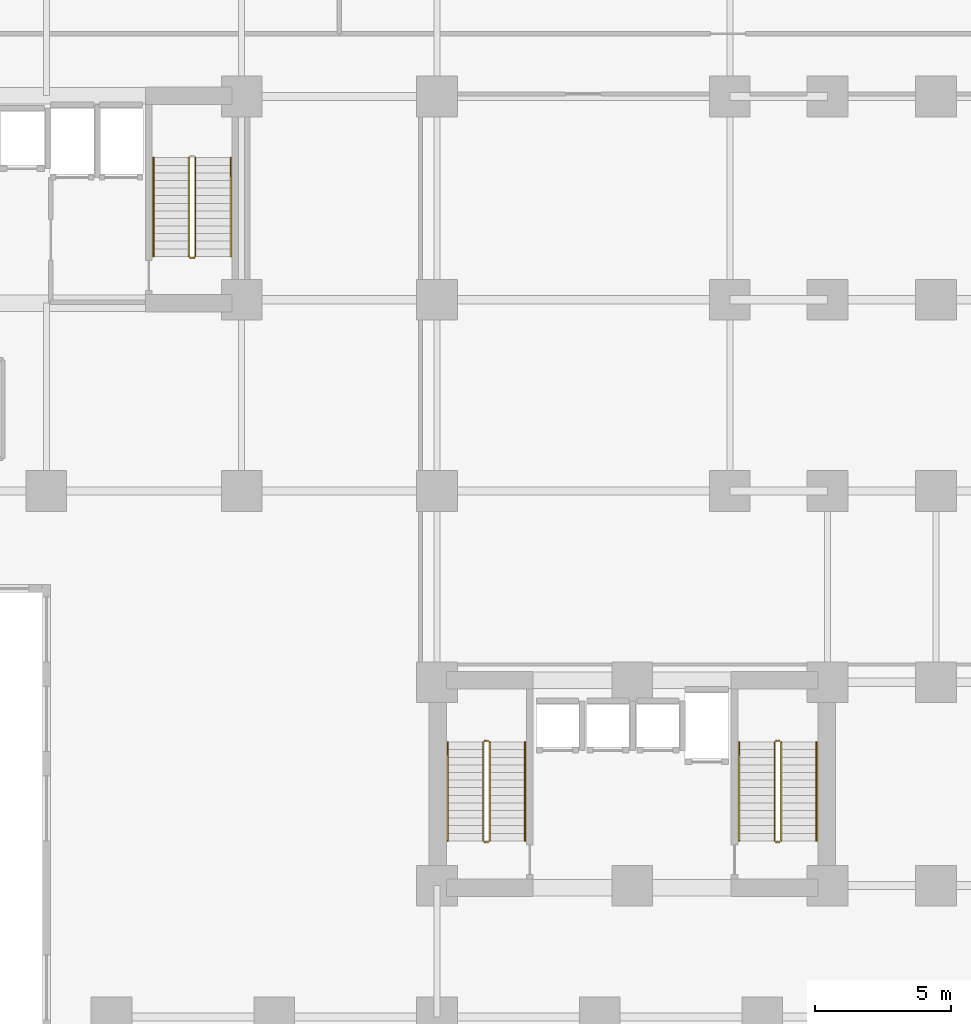
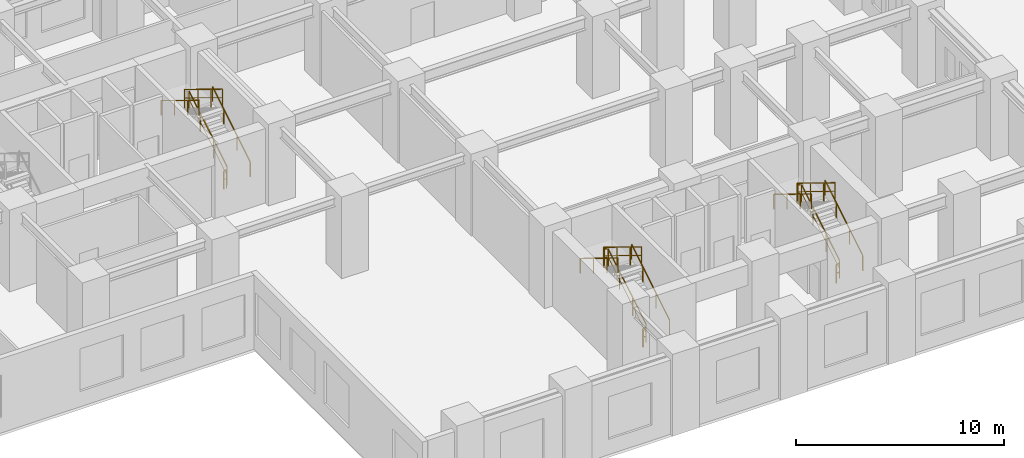
# One storey, part 8 of 10: 17 railings.
"""IFC4 building model written with IfcOpenShell, lengths in metres."""

from ifc_helpers import new_model, si_unit, direction, frame, origin, origin_2d, place, context, subcontext, project, spatial, rectangle, extrude, material, type_object, element, save


model = new_model("IFC4")

# Units and contexts
model_context = context("Model", 3, precision=1e-05, world=origin(), true_north=direction((0.0, 1.0)))
body_context = subcontext(model_context, "Body", "Model", "MODEL_VIEW")
ifc_project = project(units=[si_unit("LENGTHUNIT", "METRE"), si_unit("AREAUNIT", "SQUARE_METRE"), si_unit("VOLUMEUNIT", "CUBIC_METRE"), si_unit("PLANEANGLEUNIT", "RADIAN"), si_unit("MASSUNIT", "GRAM", prefix="KILO")], contexts=[model_context])

# Site, building, storey
site_placement = place(None, origin())
site = spatial("IfcSite", under=ifc_project, at=site_placement, CompositionType="ELEMENT")
building_placement = place(site_placement, origin())
building = spatial("IfcBuilding", under=site, at=building_placement, Name="Kaliganga Portal Commons", CompositionType="ELEMENT")
storey_placement = place(building_placement, frame((0.0, 0.0, 15.0)))
storey = spatial("IfcBuildingStorey", under=building, at=storey_placement, Name="L03", CompositionType="ELEMENT", Elevation=15.0)

# Railings
ifc_material_1 = material(Name="Galvanized Painted Steel Balustrade", Category="steel")
railing_type_1 = type_object("IfcRailingType", Name="RLG-STAIR-GRD", PredefinedType="GUARDRAIL", material=ifc_material_1)
railing_1_placement = place(storey_placement, frame((27.10009765625, 30.25, 0.17138671875)))
element("IfcRailing", 1, at=railing_1_placement, inside=storey, type_object=railing_type_1, Name="L03 ST-A2 stair guard 1", PredefinedType="GUARDRAIL", context=body_context, shape_type="SweptSolid", body=[
    extrude(rectangle(XDim=0.048095703125, YDim=0.048095703125, at=origin_2d()), frame((0.0, 0.0, 1.072021484375), z_axis=(0.0, 0.852850264322, 0.5221555579), x_axis=(-1.0, 0.0, 0.0)), (0.0, 0.0, 1.0), 4.267822265625),
    extrude(rectangle(XDim=0.028076171875, YDim=0.028076171875, at=origin_2d()), frame((0.0, 0.0, 0.572021484375), z_axis=(0.0, 0.852850264322, 0.5221555579), x_axis=(-1.0, 0.0, 0.0)), (0.0, 0.0, 1.0), 4.267822265625),
    extrude(rectangle(XDim=0.0419921875, YDim=0.0419921875, at=origin_2d()), origin(), (0.0, 0.0, 1.0), 1.052001953125),
    extrude(rectangle(XDim=0.0419921875, YDim=0.0419921875, at=origin_2d()), frame((0.0, 1.279296875, 0.783203125)), (0.0, 0.0, 1.0), 1.052001953125),
    extrude(rectangle(XDim=0.0419921875, YDim=0.0419921875, at=origin_2d()), frame((0.0, 2.55859375, 1.56640625)), (0.0, 0.0, 1.0), 1.052001953125),
    extrude(rectangle(XDim=0.0419921875, YDim=0.0419921875, at=origin_2d()), frame((0.0, 3.639892578125, 2.228515625)), (0.0, 0.0, 1.0), 1.052001953125),
])
railing_2_placement = place(storey_placement, frame((26.85009765625, 33.889892578125, 2.571533203125)))
element("IfcRailing", 2, at=railing_2_placement, inside=storey, type_object=railing_type_1, Name="L03 ST-A2 stair guard 3", PredefinedType="GUARDRAIL", context=body_context, shape_type="SweptSolid", body=[
    extrude(rectangle(XDim=0.048095703125, YDim=0.048095703125, at=origin_2d()), frame((0.0, 0.0, 1.072021484375), z_axis=(0.0, -0.852850264322, 0.5221555579), x_axis=(1.0, 0.0, 0.0)), (0.0, 0.0, 1.0), 4.267822265625),
    extrude(rectangle(XDim=0.028076171875, YDim=0.028076171875, at=origin_2d()), frame((0.0, 0.0, 0.572021484375), z_axis=(0.0, -0.852850264322, 0.5221555579), x_axis=(1.0, 0.0, 0.0)), (0.0, 0.0, 1.0), 4.267822265625),
    extrude(rectangle(XDim=0.0419921875, YDim=0.0419921875, at=origin_2d()), origin(), (0.0, 0.0, 1.0), 1.052001953125),
    extrude(rectangle(XDim=0.0419921875, YDim=0.0419921875, at=origin_2d()), frame((0.0, -1.279296875, 0.783203125)), (0.0, 0.0, 1.0), 1.052001953125),
    extrude(rectangle(XDim=0.0419921875, YDim=0.0419921875, at=origin_2d()), frame((0.0, -2.55859375, 1.56640625)), (0.0, 0.0, 1.0), 1.052001953125),
    extrude(rectangle(XDim=0.0419921875, YDim=0.0419921875, at=origin_2d()), frame((0.0, -3.639892578125, 2.228515625)), (0.0, 0.0, 1.0), 1.052001953125),
])
railing_3_placement = place(storey_placement, frame((27.050048828125, 30.199951171875, 0.0)))
element("IfcRailing", 3, at=railing_3_placement, inside=storey, type_object=railing_type_1, Name="L03 ST-A2 stair guard 4", PredefinedType="GUARDRAIL", context=body_context, shape_type="SweptSolid", body=[
    extrude(rectangle(XDim=0.048095703125, YDim=0.048095703125, at=origin_2d()), frame((0.0, 0.0, 1.076171875), z_axis=(-1.0, 0.0, 0.0), x_axis=(0.0, -1.0, 0.0)), (0.0, 0.0, 1.0), 0.150146484375),
    extrude(rectangle(XDim=0.028076171875, YDim=0.028076171875, at=origin_2d()), frame((0.0, 0.0, 0.572021484375), z_axis=(-1.0, 0.0, 0.0), x_axis=(0.0, -1.0, 0.0)), (0.0, 0.0, 1.0), 0.150146484375),
    extrude(rectangle(XDim=0.0419921875, YDim=0.0419921875, at=origin_2d()), origin(), (0.0, 0.0, 1.0), 1.052001953125),
    extrude(rectangle(XDim=0.0419921875, YDim=0.0419921875, at=origin_2d()), frame((-0.150146484375, 0.0, 0.0)), (0.0, 0.0, 1.0), 1.052001953125),
])
railing_4_placement = place(storey_placement, frame((37.949951171875, 8.699951171875, 0.17138671875)))
element("IfcRailing", 4, at=railing_4_placement, inside=storey, type_object=railing_type_1, Name="L03 ST-B1 stair guard 1", PredefinedType="GUARDRAIL", context=body_context, shape_type="SweptSolid", body=[
    extrude(rectangle(XDim=0.048095703125, YDim=0.048095703125, at=origin_2d()), frame((0.0, 0.0, 1.072021484375), z_axis=(0.0, 0.852865859571, 0.52213008492), x_axis=(-1.0, 0.0, 0.0)), (0.0, 0.0, 1.0), 4.26806640625),
    extrude(rectangle(XDim=0.028076171875, YDim=0.028076171875, at=origin_2d()), frame((0.0, 0.0, 0.572021484375), z_axis=(0.0, 0.852865859571, 0.52213008492), x_axis=(-1.0, 0.0, 0.0)), (0.0, 0.0, 1.0), 4.26806640625),
    extrude(rectangle(XDim=0.0419921875, YDim=0.0419921875, at=origin_2d()), origin(), (0.0, 0.0, 1.0), 1.052001953125),
    extrude(rectangle(XDim=0.0419921875, YDim=0.0419921875, at=origin_2d()), frame((0.0, 1.279296875, 0.783203125)), (0.0, 0.0, 1.0), 1.052001953125),
    extrude(rectangle(XDim=0.0419921875, YDim=0.0419921875, at=origin_2d()), frame((0.0, 2.55859375, 1.56640625)), (0.0, 0.0, 1.0), 1.052001953125),
    extrude(rectangle(XDim=0.0419921875, YDim=0.0419921875, at=origin_2d()), frame((0.0, 3.64013671875, 2.228515625)), (0.0, 0.0, 1.0), 1.052001953125),
])
railing_5_placement = place(storey_placement, frame((37.89990234375, 12.389892578125, 2.39990234375)))
element("IfcRailing", 5, at=railing_5_placement, inside=storey, type_object=railing_type_1, Name="L03 ST-B1 stair guard 2", PredefinedType="GUARDRAIL", context=body_context, shape_type="SweptSolid", body=[
    extrude(rectangle(XDim=0.048095703125, YDim=0.048095703125, at=origin_2d()), frame((0.0, 0.0, 1.076171875), z_axis=(-1.0, 0.0, 0.0), x_axis=(0.0, -1.0, 0.0)), (0.0, 0.0, 1.0), 0.14990234375),
    extrude(rectangle(XDim=0.028076171875, YDim=0.028076171875, at=origin_2d()), frame((0.0, 0.0, 0.572021484375), z_axis=(-1.0, 0.0, 0.0), x_axis=(0.0, -1.0, 0.0)), (0.0, 0.0, 1.0), 0.14990234375),
    extrude(rectangle(XDim=0.0419921875, YDim=0.0419921875, at=origin_2d()), frame((-0.14990234375, 0.0, 0.0)), (0.0, 0.0, 1.0), 1.052001953125),
])
railing_6_placement = place(storey_placement, frame((37.699951171875, 12.340087890625, 2.571533203125)))
element("IfcRailing", 6, at=railing_6_placement, inside=storey, type_object=railing_type_1, Name="L03 ST-B1 stair guard 3", PredefinedType="GUARDRAIL", context=body_context, shape_type="SweptSolid", body=[
    extrude(rectangle(XDim=0.048095703125, YDim=0.048095703125, at=origin_2d()), frame((0.0, 0.0, 1.072021484375), z_axis=(0.0, -0.852865859571, 0.52213008492), x_axis=(1.0, 0.0, 0.0)), (0.0, 0.0, 1.0), 4.26806640625),
    extrude(rectangle(XDim=0.028076171875, YDim=0.028076171875, at=origin_2d()), frame((0.0, 0.0, 0.572021484375), z_axis=(0.0, -0.852865859571, 0.52213008492), x_axis=(1.0, 0.0, 0.0)), (0.0, 0.0, 1.0), 4.26806640625),
    extrude(rectangle(XDim=0.0419921875, YDim=0.0419921875, at=origin_2d()), origin(), (0.0, 0.0, 1.0), 1.052001953125),
    extrude(rectangle(XDim=0.0419921875, YDim=0.0419921875, at=origin_2d()), frame((0.0, -1.279296875, 0.783203125)), (0.0, 0.0, 1.0), 1.052001953125),
    extrude(rectangle(XDim=0.0419921875, YDim=0.0419921875, at=origin_2d()), frame((0.0, -2.55859375, 1.56640625)), (0.0, 0.0, 1.0), 1.052001953125),
    extrude(rectangle(XDim=0.0419921875, YDim=0.0419921875, at=origin_2d()), frame((0.0, -3.64013671875, 2.228515625)), (0.0, 0.0, 1.0), 1.052001953125),
])
railing_7_placement = place(storey_placement, frame((37.89990234375, 8.64990234375, 0.0)))
element("IfcRailing", 7, at=railing_7_placement, inside=storey, type_object=railing_type_1, Name="L03 ST-B1 stair guard 4", PredefinedType="GUARDRAIL", context=body_context, shape_type="SweptSolid", body=[
    extrude(rectangle(XDim=0.048095703125, YDim=0.048095703125, at=origin_2d()), frame((0.0, 0.0, 1.076171875), z_axis=(-1.0, 0.0, 0.0), x_axis=(0.0, -1.0, 0.0)), (0.0, 0.0, 1.0), 0.14990234375),
    extrude(rectangle(XDim=0.028076171875, YDim=0.028076171875, at=origin_2d()), frame((0.0, 0.0, 0.572021484375), z_axis=(-1.0, 0.0, 0.0), x_axis=(0.0, -1.0, 0.0)), (0.0, 0.0, 1.0), 0.14990234375),
    extrude(rectangle(XDim=0.0419921875, YDim=0.0419921875, at=origin_2d()), frame((-0.14990234375, 0.0, 0.0)), (0.0, 0.0, 1.0), 1.052001953125),
])
railing_8_placement = place(storey_placement, frame((48.699951171875, 8.699951171875, 0.17138671875)))
element("IfcRailing", 8, at=railing_8_placement, inside=storey, type_object=railing_type_1, Name="L03 ST-B2 stair guard 1", PredefinedType="GUARDRAIL", context=body_context, shape_type="SweptSolid", body=[
    extrude(rectangle(XDim=0.048095703125, YDim=0.048095703125, at=origin_2d()), frame((0.0, 0.0, 1.072021484375), z_axis=(0.0, 0.852865859571, 0.52213008492), x_axis=(-1.0, 0.0, 0.0)), (0.0, 0.0, 1.0), 4.26806640625),
    extrude(rectangle(XDim=0.028076171875, YDim=0.028076171875, at=origin_2d()), frame((0.0, 0.0, 0.572021484375), z_axis=(0.0, 0.852865859571, 0.52213008492), x_axis=(-1.0, 0.0, 0.0)), (0.0, 0.0, 1.0), 4.26806640625),
    extrude(rectangle(XDim=0.0419921875, YDim=0.0419921875, at=origin_2d()), origin(), (0.0, 0.0, 1.0), 1.052001953125),
    extrude(rectangle(XDim=0.0419921875, YDim=0.0419921875, at=origin_2d()), frame((0.0, 1.279296875, 0.783203125)), (0.0, 0.0, 1.0), 1.052001953125),
    extrude(rectangle(XDim=0.0419921875, YDim=0.0419921875, at=origin_2d()), frame((0.0, 2.55859375, 1.56640625)), (0.0, 0.0, 1.0), 1.052001953125),
    extrude(rectangle(XDim=0.0419921875, YDim=0.0419921875, at=origin_2d()), frame((0.0, 3.64013671875, 2.228515625)), (0.0, 0.0, 1.0), 1.052001953125),
])
railing_9_placement = place(storey_placement, frame((48.64990234375, 12.389892578125, 2.39990234375)))
element("IfcRailing", 9, at=railing_9_placement, inside=storey, type_object=railing_type_1, Name="L03 ST-B2 stair guard 2", PredefinedType="GUARDRAIL", context=body_context, shape_type="SweptSolid", body=[
    extrude(rectangle(XDim=0.048095703125, YDim=0.048095703125, at=origin_2d()), frame((0.0, 0.0, 1.076171875), z_axis=(-1.0, 0.0, 0.0), x_axis=(0.0, -1.0, 0.0)), (0.0, 0.0, 1.0), 0.14990234375),
    extrude(rectangle(XDim=0.028076171875, YDim=0.028076171875, at=origin_2d()), frame((0.0, 0.0, 0.572021484375), z_axis=(-1.0, 0.0, 0.0), x_axis=(0.0, -1.0, 0.0)), (0.0, 0.0, 1.0), 0.14990234375),
    extrude(rectangle(XDim=0.0419921875, YDim=0.0419921875, at=origin_2d()), frame((-0.14990234375, 0.0, 0.0)), (0.0, 0.0, 1.0), 1.052001953125),
])
railing_10_placement = place(storey_placement, frame((48.449951171875, 12.340087890625, 2.571533203125)))
element("IfcRailing", 10, at=railing_10_placement, inside=storey, type_object=railing_type_1, Name="L03 ST-B2 stair guard 3", PredefinedType="GUARDRAIL", context=body_context, shape_type="SweptSolid", body=[
    extrude(rectangle(XDim=0.048095703125, YDim=0.048095703125, at=origin_2d()), frame((0.0, 0.0, 1.072021484375), z_axis=(0.0, -0.852865859571, 0.52213008492), x_axis=(1.0, 0.0, 0.0)), (0.0, 0.0, 1.0), 4.26806640625),
    extrude(rectangle(XDim=0.028076171875, YDim=0.028076171875, at=origin_2d()), frame((0.0, 0.0, 0.572021484375), z_axis=(0.0, -0.852865859571, 0.52213008492), x_axis=(1.0, 0.0, 0.0)), (0.0, 0.0, 1.0), 4.26806640625),
    extrude(rectangle(XDim=0.0419921875, YDim=0.0419921875, at=origin_2d()), origin(), (0.0, 0.0, 1.0), 1.052001953125),
    extrude(rectangle(XDim=0.0419921875, YDim=0.0419921875, at=origin_2d()), frame((0.0, -1.279296875, 0.783203125)), (0.0, 0.0, 1.0), 1.052001953125),
    extrude(rectangle(XDim=0.0419921875, YDim=0.0419921875, at=origin_2d()), frame((0.0, -2.55859375, 1.56640625)), (0.0, 0.0, 1.0), 1.052001953125),
    extrude(rectangle(XDim=0.0419921875, YDim=0.0419921875, at=origin_2d()), frame((0.0, -3.64013671875, 2.228515625)), (0.0, 0.0, 1.0), 1.052001953125),
])
railing_11_placement = place(storey_placement, frame((48.64990234375, 8.64990234375, 0.0)))
element("IfcRailing", 11, at=railing_11_placement, inside=storey, type_object=railing_type_1, Name="L03 ST-B2 stair guard 4", PredefinedType="GUARDRAIL", context=body_context, shape_type="SweptSolid", body=[
    extrude(rectangle(XDim=0.048095703125, YDim=0.048095703125, at=origin_2d()), frame((0.0, 0.0, 1.076171875), z_axis=(-1.0, 0.0, 0.0), x_axis=(0.0, -1.0, 0.0)), (0.0, 0.0, 1.0), 0.14990234375),
    extrude(rectangle(XDim=0.028076171875, YDim=0.028076171875, at=origin_2d()), frame((0.0, 0.0, 0.572021484375), z_axis=(-1.0, 0.0, 0.0), x_axis=(0.0, -1.0, 0.0)), (0.0, 0.0, 1.0), 0.14990234375),
    extrude(rectangle(XDim=0.0419921875, YDim=0.0419921875, at=origin_2d()), frame((-0.14990234375, 0.0, 0.0)), (0.0, 0.0, 1.0), 1.052001953125),
])
ifc_material_2 = material(Name="Brushed Stainless Steel 316", Category="steel")
railing_type_2 = type_object("IfcRailingType", Name="RLG-STAIR-HR", PredefinedType="HANDRAIL", material=ifc_material_2)
railing_12_placement = place(storey_placement, frame((28.39990234375, 30.25, 0.17138671875)))
element("IfcRailing", 12, at=railing_12_placement, inside=storey, type_object=railing_type_2, Name="L03 ST-A2 stair handrail 1", PredefinedType="HANDRAIL", context=body_context, shape_type="SweptSolid", body=[
    extrude(rectangle(XDim=0.048095703125, YDim=0.048095703125, at=origin_2d()), frame((0.0, 0.0, 0.871826171875), z_axis=(0.0, 0.852850264322, 0.5221555579), x_axis=(-1.0, 0.0, 0.0)), (0.0, 0.0, 1.0), 4.267822265625),
    extrude(rectangle(XDim=0.0419921875, YDim=0.0419921875, at=origin_2d()), origin(), (0.0, 0.0, 1.0), 0.851806640625),
    extrude(rectangle(XDim=0.0419921875, YDim=0.0419921875, at=origin_2d()), frame((0.0, 1.279296875, 0.783203125)), (0.0, 0.0, 1.0), 0.851806640625),
    extrude(rectangle(XDim=0.0419921875, YDim=0.0419921875, at=origin_2d()), frame((0.0, 2.55859375, 1.56640625)), (0.0, 0.0, 1.0), 0.851806640625),
    extrude(rectangle(XDim=0.0419921875, YDim=0.0419921875, at=origin_2d()), frame((0.0, 3.639892578125, 2.228515625)), (0.0, 0.0, 1.0), 0.851806640625),
])
railing_13_placement = place(storey_placement, frame((25.550048828125, 33.889892578125, 2.571533203125)))
element("IfcRailing", 13, at=railing_13_placement, inside=storey, type_object=railing_type_2, Name="L03 ST-A2 stair handrail 2", PredefinedType="HANDRAIL", context=body_context, shape_type="SweptSolid", body=[
    extrude(rectangle(XDim=0.048095703125, YDim=0.048095703125, at=origin_2d()), frame((0.0, 0.0, 0.871826171875), z_axis=(0.0, -0.852850264322, 0.5221555579), x_axis=(1.0, 0.0, 0.0)), (0.0, 0.0, 1.0), 4.267822265625),
    extrude(rectangle(XDim=0.0419921875, YDim=0.0419921875, at=origin_2d()), origin(), (0.0, 0.0, 1.0), 0.851806640625),
    extrude(rectangle(XDim=0.0419921875, YDim=0.0419921875, at=origin_2d()), frame((0.0, -1.279296875, 0.783203125)), (0.0, 0.0, 1.0), 0.851806640625),
    extrude(rectangle(XDim=0.0419921875, YDim=0.0419921875, at=origin_2d()), frame((0.0, -2.55859375, 1.56640625)), (0.0, 0.0, 1.0), 0.851806640625),
    extrude(rectangle(XDim=0.0419921875, YDim=0.0419921875, at=origin_2d()), frame((0.0, -3.639892578125, 2.228515625)), (0.0, 0.0, 1.0), 0.851806640625),
])
railing_14_placement = place(storey_placement, frame((39.25, 8.699951171875, 0.17138671875)))
element("IfcRailing", 14, at=railing_14_placement, inside=storey, type_object=railing_type_2, Name="L03 ST-B1 stair handrail 1", PredefinedType="HANDRAIL", context=body_context, shape_type="SweptSolid", body=[
    extrude(rectangle(XDim=0.048095703125, YDim=0.048095703125, at=origin_2d()), frame((0.0, 0.0, 0.871826171875), z_axis=(0.0, 0.852865859571, 0.52213008492), x_axis=(-1.0, 0.0, 0.0)), (0.0, 0.0, 1.0), 4.26806640625),
    extrude(rectangle(XDim=0.0419921875, YDim=0.0419921875, at=origin_2d()), origin(), (0.0, 0.0, 1.0), 0.851806640625),
    extrude(rectangle(XDim=0.0419921875, YDim=0.0419921875, at=origin_2d()), frame((0.0, 1.279296875, 0.783203125)), (0.0, 0.0, 1.0), 0.851806640625),
    extrude(rectangle(XDim=0.0419921875, YDim=0.0419921875, at=origin_2d()), frame((0.0, 2.55859375, 1.56640625)), (0.0, 0.0, 1.0), 0.851806640625),
    extrude(rectangle(XDim=0.0419921875, YDim=0.0419921875, at=origin_2d()), frame((0.0, 3.64013671875, 2.228515625)), (0.0, 0.0, 1.0), 0.851806640625),
])
railing_15_placement = place(storey_placement, frame((36.39990234375, 12.340087890625, 2.571533203125)))
element("IfcRailing", 15, at=railing_15_placement, inside=storey, type_object=railing_type_2, Name="L03 ST-B1 stair handrail 2", PredefinedType="HANDRAIL", context=body_context, shape_type="SweptSolid", body=[
    extrude(rectangle(XDim=0.048095703125, YDim=0.048095703125, at=origin_2d()), frame((0.0, 0.0, 0.871826171875), z_axis=(0.0, -0.852865859571, 0.52213008492), x_axis=(1.0, 0.0, 0.0)), (0.0, 0.0, 1.0), 4.26806640625),
    extrude(rectangle(XDim=0.0419921875, YDim=0.0419921875, at=origin_2d()), origin(), (0.0, 0.0, 1.0), 0.851806640625),
    extrude(rectangle(XDim=0.0419921875, YDim=0.0419921875, at=origin_2d()), frame((0.0, -1.279296875, 0.783203125)), (0.0, 0.0, 1.0), 0.851806640625),
    extrude(rectangle(XDim=0.0419921875, YDim=0.0419921875, at=origin_2d()), frame((0.0, -2.55859375, 1.56640625)), (0.0, 0.0, 1.0), 0.851806640625),
    extrude(rectangle(XDim=0.0419921875, YDim=0.0419921875, at=origin_2d()), frame((0.0, -3.64013671875, 2.228515625)), (0.0, 0.0, 1.0), 0.851806640625),
])
railing_16_placement = place(storey_placement, frame((50.0, 8.699951171875, 0.17138671875)))
element("IfcRailing", 16, at=railing_16_placement, inside=storey, type_object=railing_type_2, Name="L03 ST-B2 stair handrail 1", PredefinedType="HANDRAIL", context=body_context, shape_type="SweptSolid", body=[
    extrude(rectangle(XDim=0.048095703125, YDim=0.048095703125, at=origin_2d()), frame((0.0, 0.0, 0.871826171875), z_axis=(0.0, 0.852865859571, 0.52213008492), x_axis=(-1.0, 0.0, 0.0)), (0.0, 0.0, 1.0), 4.26806640625),
    extrude(rectangle(XDim=0.0419921875, YDim=0.0419921875, at=origin_2d()), origin(), (0.0, 0.0, 1.0), 0.851806640625),
    extrude(rectangle(XDim=0.0419921875, YDim=0.0419921875, at=origin_2d()), frame((0.0, 1.279296875, 0.783203125)), (0.0, 0.0, 1.0), 0.851806640625),
    extrude(rectangle(XDim=0.0419921875, YDim=0.0419921875, at=origin_2d()), frame((0.0, 2.55859375, 1.56640625)), (0.0, 0.0, 1.0), 0.851806640625),
    extrude(rectangle(XDim=0.0419921875, YDim=0.0419921875, at=origin_2d()), frame((0.0, 3.64013671875, 2.228515625)), (0.0, 0.0, 1.0), 0.851806640625),
])
railing_17_placement = place(storey_placement, frame((47.14990234375, 12.340087890625, 2.571533203125)))
element("IfcRailing", 17, at=railing_17_placement, inside=storey, type_object=railing_type_2, Name="L03 ST-B2 stair handrail 2", PredefinedType="HANDRAIL", context=body_context, shape_type="SweptSolid", body=[
    extrude(rectangle(XDim=0.048095703125, YDim=0.048095703125, at=origin_2d()), frame((0.0, 0.0, 0.871826171875), z_axis=(0.0, -0.852865859571, 0.52213008492), x_axis=(1.0, 0.0, 0.0)), (0.0, 0.0, 1.0), 4.26806640625),
    extrude(rectangle(XDim=0.0419921875, YDim=0.0419921875, at=origin_2d()), origin(), (0.0, 0.0, 1.0), 0.851806640625),
    extrude(rectangle(XDim=0.0419921875, YDim=0.0419921875, at=origin_2d()), frame((0.0, -1.279296875, 0.783203125)), (0.0, 0.0, 1.0), 0.851806640625),
    extrude(rectangle(XDim=0.0419921875, YDim=0.0419921875, at=origin_2d()), frame((0.0, -2.55859375, 1.56640625)), (0.0, 0.0, 1.0), 0.851806640625),
    extrude(rectangle(XDim=0.0419921875, YDim=0.0419921875, at=origin_2d()), frame((0.0, -3.64013671875, 2.228515625)), (0.0, 0.0, 1.0), 0.851806640625),
])

save(model, "model.ifc")
